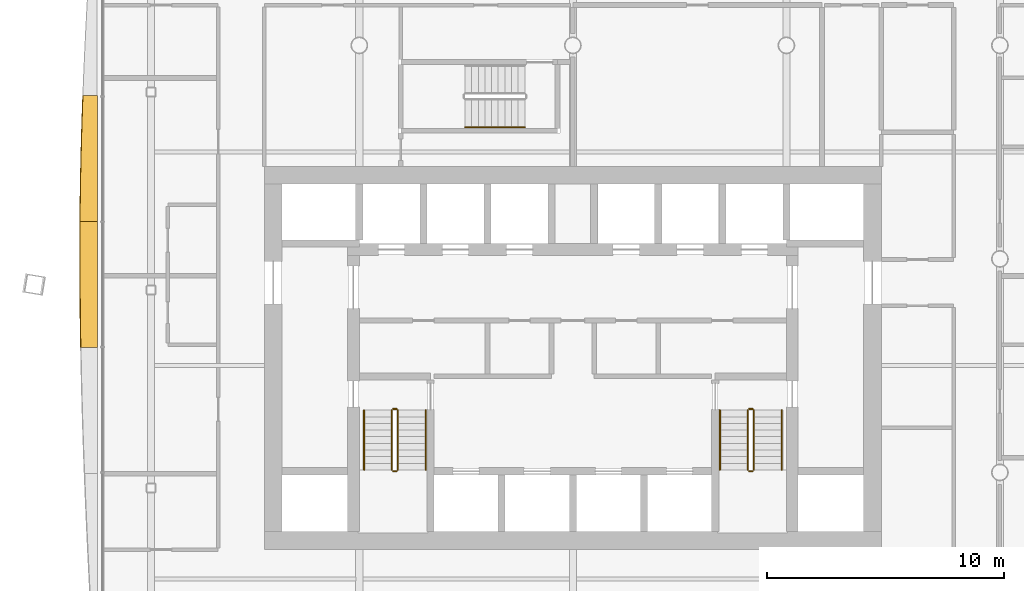
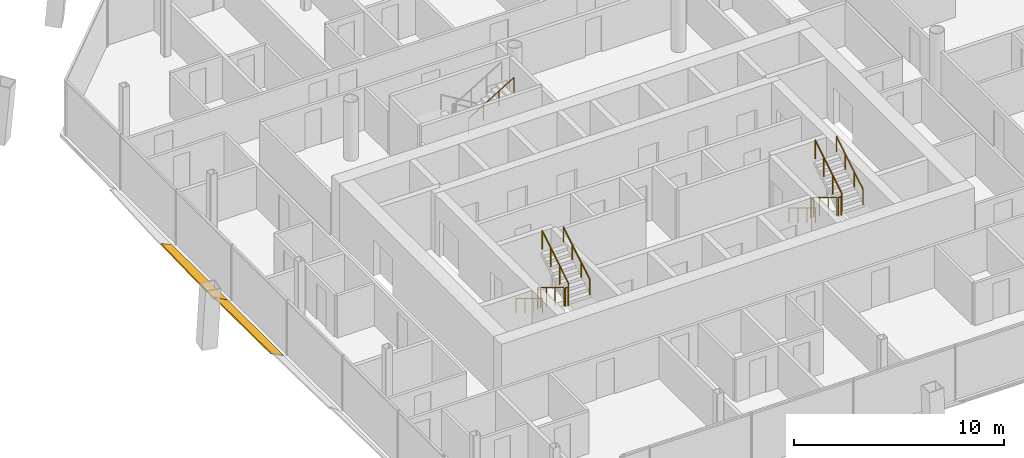
# One storey, part 18 of 21: 13 railings, 2 shading devices.
"""IFC4 building model written with IfcOpenShell, lengths in metres."""

from ifc_helpers import new_model, si_unit, direction, frame, origin, origin_2d, place, context, subcontext, project, spatial, polyline, circle, outline, extrude, material, layer, layer_set, type_object, element, save


model = new_model("IFC4")

# Units and contexts
model_context = context("Model", 3, precision=1e-05, world=origin(), true_north=direction((0.0, 1.0)))
body_context = subcontext(model_context, "Body", "Model", "MODEL_VIEW")
ifc_project = project(units=[si_unit("LENGTHUNIT", "METRE"), si_unit("AREAUNIT", "SQUARE_METRE"), si_unit("VOLUMEUNIT", "CUBIC_METRE"), si_unit("PLANEANGLEUNIT", "RADIAN"), si_unit("MASSUNIT", "GRAM", prefix="KILO")], contexts=[model_context])

# Site, building, storey
site_placement = place(None, origin())
site = spatial("IfcSite", under=ifc_project, at=site_placement, CompositionType="ELEMENT")
building_placement = place(site_placement, origin())
building = spatial("IfcBuilding", under=site, at=building_placement, Name="Tskaro Facet Tower", CompositionType="ELEMENT")
storey_placement = place(building_placement, frame((0.0, 0.0, 135.10009765625)))
storey = spatial("IfcBuildingStorey", under=building, at=storey_placement, Name="L32", CompositionType="ELEMENT", Elevation=135.10009765625)

# Shading devices
ifc_material_1 = material(Name="Bronze anodised aluminium 6063-T6", Category="aluminium")
ifc_layer = layer(ifc_material_1, 0.06005859375, Name="Bronze anodised aluminium 6063-T6")
ifc_layer_set = layer_set([ifc_layer], Name="Bronze anodised aluminium 6063-T6")
shading_device_type = type_object("IfcShadingDeviceType", Name="Bronze sun blade (FN1)", PredefinedType="USERDEFINED", material=ifc_layer_set)
shading_device_1_placement = place(storey_placement, frame((-20.044677734375, 6.896240234375, 0.05419921875), z_axis=(0.422747768846, -1.1249421e-05, 0.906247385546), x_axis=(-4.755668e-06, -0.999999999937, -1.0194758e-05)))
element("IfcShadingDevice", 1, at=shading_device_1_placement, inside=storey, type_object=shading_device_type, Name="Fin blade west 3", ObjectType="FIN", PredefinedType="USERDEFINED", context=body_context, shape_type="SweptSolid", body=[
    extrude(outline(polyline([(0.0, 0.0), (5.314697265288714, 0.0), (5.314697266409934, -0.80006357303004), (4.650390624346029, -0.7928512554915229), (3.986083984444283, -0.7825859086915616), (3.32177734288784, -0.7696952042423023), (2.657470703493556, -0.7537514705315987), (1.9929199218195903, -0.735182379171597), (1.3286132816048655, -0.7138847202577873), (0.6643066397354428, -0.6899617036946791), (-1.3867142507246964e-10, -0.6635313713808886), (0.0, 0.0)])), origin(), (0.0, 0.0, -1.0), 0.06005859375),
])
shading_device_2_placement = place(storey_placement, frame((-20.0400390625, 1.58154296875, 0.0517578125), z_axis=(0.500121711205, 3.927629e-06, 0.865955122374), x_axis=(1.964292e-06, -0.999999999992, 3.40115e-06)))
element("IfcShadingDevice", 2, at=shading_device_2_placement, inside=storey, type_object=shading_device_type, Name="Fin blade west 4", ObjectType="FIN", PredefinedType="USERDEFINED", context=body_context, shape_type="SweptSolid", body=[
    extrude(outline(polyline([(0.0, 0.0), (5.314941406209005, -1.1254826209549633e-21), (5.314941406130374, -0.8020855211644269), (4.650634765999032, -0.8145623741615424), (3.9863281250728417, -0.824948823249305), (3.322021483831365, -0.8330334536029144), (2.657470702959527, -0.8387269504247216), (1.9931640623974003, -0.8421186285123756), (1.3288574218707832, -0.8435420027178275), (1.3181152343708662, -0.8435420027178275), (0.6645507816372117, -0.8419072136875758), (-2.3823466167736966e-10, -0.8373035762192698), (0.0, 0.0)])), origin(), (0.0, 0.0, -1.0), 0.06005859375),
])

# Railings
ifc_material_2 = material(Name="Stainless steel", Category="steel")
railing_type_1 = type_object("IfcRailingType", Name="RL-GUARD-1100", PredefinedType="GUARDRAIL", material=ifc_material_2)
railing_1_placement = place(storey_placement, frame((-7.625, -6.375, 0.169921875)))
element("IfcRailing", 3, at=railing_1_placement, inside=storey, type_object=railing_type_1, Name="L32 ST-1 stair guard 1", PredefinedType="GUARDRAIL", context=body_context, shape_type="SweptSolid", body=[
    extrude(circle(Radius=0.02392578125, at=origin_2d()), frame((0.0, 0.0, 1.076171875), z_axis=(0.0, -0.85478489116, 0.518982456201), x_axis=(1.0, 0.0, 0.0)), (0.0, 0.0, 1.0), 2.9482421875),
    extrude(circle(Radius=0.02099609375, at=origin_2d()), origin(), (0.0, 0.0, 1.0), 1.052001953125),
    extrude(circle(Radius=0.02099609375, at=origin_2d()), frame((0.0, -0.840087890625, 0.510009765625)), (0.0, 0.0, 1.0), 1.052001953125),
    extrude(circle(Radius=0.02099609375, at=origin_2d()), frame((0.0, -1.679931640625, 1.02001953125)), (0.0, 0.0, 1.0), 1.052001953125),
    extrude(circle(Radius=0.02099609375, at=origin_2d()), frame((0.0, -2.52001953125, 1.530029296875)), (0.0, 0.0, 1.0), 1.052001953125),
])
railing_2_placement = place(storey_placement, frame((-7.574951171875, -8.945068359375, 1.699951171875)))
element("IfcRailing", 4, at=railing_2_placement, inside=storey, type_object=railing_type_1, Name="L32 ST-1 stair guard 2", PredefinedType="GUARDRAIL", context=body_context, shape_type="SweptSolid", body=[
    extrude(circle(Radius=0.02392578125, at=origin_2d()), frame((0.0, 0.0, 1.076171875), z_axis=(1.0, 0.0, 0.0), x_axis=(0.0, 1.0, 0.0)), (0.0, 0.0, 1.0), 0.14990234375),
    extrude(circle(Radius=0.02099609375, at=origin_2d()), origin(), (0.0, 0.0, 1.0), 1.052001953125),
    extrude(circle(Radius=0.02099609375, at=origin_2d()), frame((0.14990234375, 0.0, 0.0)), (0.0, 0.0, 1.0), 1.052001953125),
])
railing_3_placement = place(storey_placement, frame((-7.375, -8.89501953125, 1.869873046875)))
element("IfcRailing", 5, at=railing_3_placement, inside=storey, type_object=railing_type_1, Name="L32 ST-1 stair guard 3", PredefinedType="GUARDRAIL", context=body_context, shape_type="SweptSolid", body=[
    extrude(circle(Radius=0.02392578125, at=origin_2d()), frame((0.0, 0.0, 1.076171875), z_axis=(0.0, 0.85478489116, 0.518982456201), x_axis=(-1.0, 0.0, 0.0)), (0.0, 0.0, 1.0), 2.9482421875),
    extrude(circle(Radius=0.02099609375, at=origin_2d()), origin(), (0.0, 0.0, 1.0), 1.052001953125),
    extrude(circle(Radius=0.02099609375, at=origin_2d()), frame((0.0, 0.840087890625, 0.510009765625)), (0.0, 0.0, 1.0), 1.052001953125),
    extrude(circle(Radius=0.02099609375, at=origin_2d()), frame((0.0, 1.679931640625, 1.02001953125)), (0.0, 0.0, 1.0), 1.052001953125),
    extrude(circle(Radius=0.02099609375, at=origin_2d()), frame((0.0, 2.52001953125, 1.530029296875)), (0.0, 0.0, 1.0), 1.052001953125),
])
railing_4_placement = place(storey_placement, frame((-7.574951171875, -6.324951171875, 0.0)))
element("IfcRailing", 6, at=railing_4_placement, inside=storey, type_object=railing_type_1, Name="L32 ST-1 stair guard 4", PredefinedType="GUARDRAIL", context=body_context, shape_type="SweptSolid", body=[
    extrude(circle(Radius=0.02392578125, at=origin_2d()), frame((0.0, 0.0, 1.076171875), z_axis=(1.0, 0.0, 0.0), x_axis=(0.0, 1.0, 0.0)), (0.0, 0.0, 1.0), 0.14990234375),
    extrude(circle(Radius=0.02099609375, at=origin_2d()), origin(), (0.0, 0.0, 1.0), 1.052001953125),
    extrude(circle(Radius=0.02099609375, at=origin_2d()), frame((0.14990234375, 0.0, 0.0)), (0.0, 0.0, 1.0), 1.052001953125),
])
railing_5_placement = place(storey_placement, frame((7.375, -6.375, 0.169921875)))
element("IfcRailing", 7, at=railing_5_placement, inside=storey, type_object=railing_type_1, Name="L32 ST-2 stair guard 1", PredefinedType="GUARDRAIL", context=body_context, shape_type="SweptSolid", body=[
    extrude(circle(Radius=0.02392578125, at=origin_2d()), frame((0.0, 0.0, 1.076171875), z_axis=(0.0, -0.85478489116, 0.518982456201), x_axis=(1.0, 0.0, 0.0)), (0.0, 0.0, 1.0), 2.9482421875),
    extrude(circle(Radius=0.02099609375, at=origin_2d()), origin(), (0.0, 0.0, 1.0), 1.052001953125),
    extrude(circle(Radius=0.02099609375, at=origin_2d()), frame((0.0, -0.840087890625, 0.510009765625)), (0.0, 0.0, 1.0), 1.052001953125),
    extrude(circle(Radius=0.02099609375, at=origin_2d()), frame((0.0, -1.679931640625, 1.02001953125)), (0.0, 0.0, 1.0), 1.052001953125),
    extrude(circle(Radius=0.02099609375, at=origin_2d()), frame((0.0, -2.52001953125, 1.530029296875)), (0.0, 0.0, 1.0), 1.052001953125),
])
railing_6_placement = place(storey_placement, frame((7.425048828125, -8.945068359375, 1.699951171875)))
element("IfcRailing", 8, at=railing_6_placement, inside=storey, type_object=railing_type_1, Name="L32 ST-2 stair guard 2", PredefinedType="GUARDRAIL", context=body_context, shape_type="SweptSolid", body=[
    extrude(circle(Radius=0.02392578125, at=origin_2d()), frame((0.0, 0.0, 1.076171875), z_axis=(1.0, 0.0, 0.0), x_axis=(0.0, 1.0, 0.0)), (0.0, 0.0, 1.0), 0.14990234375),
    extrude(circle(Radius=0.02099609375, at=origin_2d()), origin(), (0.0, 0.0, 1.0), 1.052001953125),
    extrude(circle(Radius=0.02099609375, at=origin_2d()), frame((0.14990234375, 0.0, 0.0)), (0.0, 0.0, 1.0), 1.052001953125),
])
railing_7_placement = place(storey_placement, frame((7.625, -8.89501953125, 1.869873046875)))
element("IfcRailing", 9, at=railing_7_placement, inside=storey, type_object=railing_type_1, Name="L32 ST-2 stair guard 3", PredefinedType="GUARDRAIL", context=body_context, shape_type="SweptSolid", body=[
    extrude(circle(Radius=0.02392578125, at=origin_2d()), frame((0.0, 0.0, 1.076171875), z_axis=(0.0, 0.85478489116, 0.518982456201), x_axis=(-1.0, 0.0, 0.0)), (0.0, 0.0, 1.0), 2.9482421875),
    extrude(circle(Radius=0.02099609375, at=origin_2d()), origin(), (0.0, 0.0, 1.0), 1.052001953125),
    extrude(circle(Radius=0.02099609375, at=origin_2d()), frame((0.0, 0.840087890625, 0.510009765625)), (0.0, 0.0, 1.0), 1.052001953125),
    extrude(circle(Radius=0.02099609375, at=origin_2d()), frame((0.0, 1.679931640625, 1.02001953125)), (0.0, 0.0, 1.0), 1.052001953125),
    extrude(circle(Radius=0.02099609375, at=origin_2d()), frame((0.0, 2.52001953125, 1.530029296875)), (0.0, 0.0, 1.0), 1.052001953125),
])
railing_8_placement = place(storey_placement, frame((7.425048828125, -6.324951171875, 0.0)))
element("IfcRailing", 10, at=railing_8_placement, inside=storey, type_object=railing_type_1, Name="L32 ST-2 stair guard 4", PredefinedType="GUARDRAIL", context=body_context, shape_type="SweptSolid", body=[
    extrude(circle(Radius=0.02392578125, at=origin_2d()), frame((0.0, 0.0, 1.076171875), z_axis=(1.0, 0.0, 0.0), x_axis=(0.0, 1.0, 0.0)), (0.0, 0.0, 1.0), 0.14990234375),
    extrude(circle(Radius=0.02099609375, at=origin_2d()), origin(), (0.0, 0.0, 1.0), 1.052001953125),
    extrude(circle(Radius=0.02099609375, at=origin_2d()), frame((0.14990234375, 0.0, 0.0)), (0.0, 0.0, 1.0), 1.052001953125),
])
railing_type_2 = type_object("IfcRailingType", Name="RL-HANDRAIL-900", PredefinedType="HANDRAIL", material=ifc_material_2)
railing_9_placement = place(storey_placement, frame((-8.800048828125, -6.375, 0.169921875)))
element("IfcRailing", 11, at=railing_9_placement, inside=storey, type_object=railing_type_2, Name="L32 ST-1 stair handrail 1", PredefinedType="HANDRAIL", context=body_context, shape_type="SweptSolid", body=[
    extrude(circle(Radius=0.02392578125, at=origin_2d()), frame((0.0, 0.0, 0.8759765625), z_axis=(0.0, -0.85478489116, 0.518982456201), x_axis=(1.0, 0.0, 0.0)), (0.0, 0.0, 1.0), 2.9482421875),
    extrude(circle(Radius=0.02099609375, at=origin_2d()), origin(), (0.0, 0.0, 1.0), 0.851806640625),
    extrude(circle(Radius=0.02099609375, at=origin_2d()), frame((0.0, -0.840087890625, 0.510009765625)), (0.0, 0.0, 1.0), 0.851806640625),
    extrude(circle(Radius=0.02099609375, at=origin_2d()), frame((0.0, -1.679931640625, 1.02001953125)), (0.0, 0.0, 1.0), 0.851806640625),
    extrude(circle(Radius=0.02099609375, at=origin_2d()), frame((0.0, -2.52001953125, 1.530029296875)), (0.0, 0.0, 1.0), 0.851806640625),
])
railing_10_placement = place(storey_placement, frame((-6.199951171875, -8.89501953125, 1.869873046875)))
element("IfcRailing", 12, at=railing_10_placement, inside=storey, type_object=railing_type_2, Name="L32 ST-1 stair handrail 2", PredefinedType="HANDRAIL", context=body_context, shape_type="SweptSolid", body=[
    extrude(circle(Radius=0.02392578125, at=origin_2d()), frame((0.0, 0.0, 0.8759765625), z_axis=(0.0, 0.85478489116, 0.518982456201), x_axis=(-1.0, 0.0, 0.0)), (0.0, 0.0, 1.0), 2.9482421875),
    extrude(circle(Radius=0.02099609375, at=origin_2d()), origin(), (0.0, 0.0, 1.0), 0.851806640625),
    extrude(circle(Radius=0.02099609375, at=origin_2d()), frame((0.0, 0.840087890625, 0.510009765625)), (0.0, 0.0, 1.0), 0.851806640625),
    extrude(circle(Radius=0.02099609375, at=origin_2d()), frame((0.0, 1.679931640625, 1.02001953125)), (0.0, 0.0, 1.0), 0.851806640625),
    extrude(circle(Radius=0.02099609375, at=origin_2d()), frame((0.0, 2.52001953125, 1.530029296875)), (0.0, 0.0, 1.0), 0.851806640625),
])
railing_11_placement = place(storey_placement, frame((6.199951171875, -6.375, 0.169921875)))
element("IfcRailing", 13, at=railing_11_placement, inside=storey, type_object=railing_type_2, Name="L32 ST-2 stair handrail 1", PredefinedType="HANDRAIL", context=body_context, shape_type="SweptSolid", body=[
    extrude(circle(Radius=0.02392578125, at=origin_2d()), frame((0.0, 0.0, 0.8759765625), z_axis=(0.0, -0.85478489116, 0.518982456201), x_axis=(1.0, 0.0, 0.0)), (0.0, 0.0, 1.0), 2.9482421875),
    extrude(circle(Radius=0.02099609375, at=origin_2d()), origin(), (0.0, 0.0, 1.0), 0.851806640625),
    extrude(circle(Radius=0.02099609375, at=origin_2d()), frame((0.0, -0.840087890625, 0.510009765625)), (0.0, 0.0, 1.0), 0.851806640625),
    extrude(circle(Radius=0.02099609375, at=origin_2d()), frame((0.0, -1.679931640625, 1.02001953125)), (0.0, 0.0, 1.0), 0.851806640625),
    extrude(circle(Radius=0.02099609375, at=origin_2d()), frame((0.0, -2.52001953125, 1.530029296875)), (0.0, 0.0, 1.0), 0.851806640625),
])
railing_12_placement = place(storey_placement, frame((8.800048828125, -8.89501953125, 1.869873046875)))
element("IfcRailing", 14, at=railing_12_placement, inside=storey, type_object=railing_type_2, Name="L32 ST-2 stair handrail 2", PredefinedType="HANDRAIL", context=body_context, shape_type="SweptSolid", body=[
    extrude(circle(Radius=0.02392578125, at=origin_2d()), frame((0.0, 0.0, 0.8759765625), z_axis=(0.0, 0.85478489116, 0.518982456201), x_axis=(-1.0, 0.0, 0.0)), (0.0, 0.0, 1.0), 2.9482421875),
    extrude(circle(Radius=0.02099609375, at=origin_2d()), origin(), (0.0, 0.0, 1.0), 0.851806640625),
    extrude(circle(Radius=0.02099609375, at=origin_2d()), frame((0.0, 0.840087890625, 0.510009765625)), (0.0, 0.0, 1.0), 0.851806640625),
    extrude(circle(Radius=0.02099609375, at=origin_2d()), frame((0.0, 1.679931640625, 1.02001953125)), (0.0, 0.0, 1.0), 0.851806640625),
    extrude(circle(Radius=0.02099609375, at=origin_2d()), frame((0.0, 2.52001953125, 1.530029296875)), (0.0, 0.0, 1.0), 0.851806640625),
])
railing_13_placement = place(storey_placement, frame((-4.544921875, 5.550048828125, 1.869873046875)))
element("IfcRailing", 15, at=railing_13_placement, inside=storey, type_object=railing_type_2, Name="L32 ST-3 stair handrail 2", PredefinedType="HANDRAIL", context=body_context, shape_type="SweptSolid", body=[
    extrude(circle(Radius=0.02392578125, at=origin_2d()), frame((0.0, 0.0, 0.8759765625), z_axis=(0.85478489116, 0.0, 0.518982456201), x_axis=(0.0, 1.0, 0.0)), (0.0, 0.0, 1.0), 2.9482421875),
    extrude(circle(Radius=0.02099609375, at=origin_2d()), origin(), (0.0, 0.0, 1.0), 0.851806640625),
    extrude(circle(Radius=0.02099609375, at=origin_2d()), frame((0.840087890625, 0.0, 0.510009765625)), (0.0, 0.0, 1.0), 0.851806640625),
    extrude(circle(Radius=0.02099609375, at=origin_2d()), frame((1.679931640625, 0.0, 1.02001953125)), (0.0, 0.0, 1.0), 0.851806640625),
    extrude(circle(Radius=0.02099609375, at=origin_2d()), frame((2.52001953125, 0.0, 1.530029296875)), (0.0, 0.0, 1.0), 0.851806640625),
])

save(model, "model.ifc")
